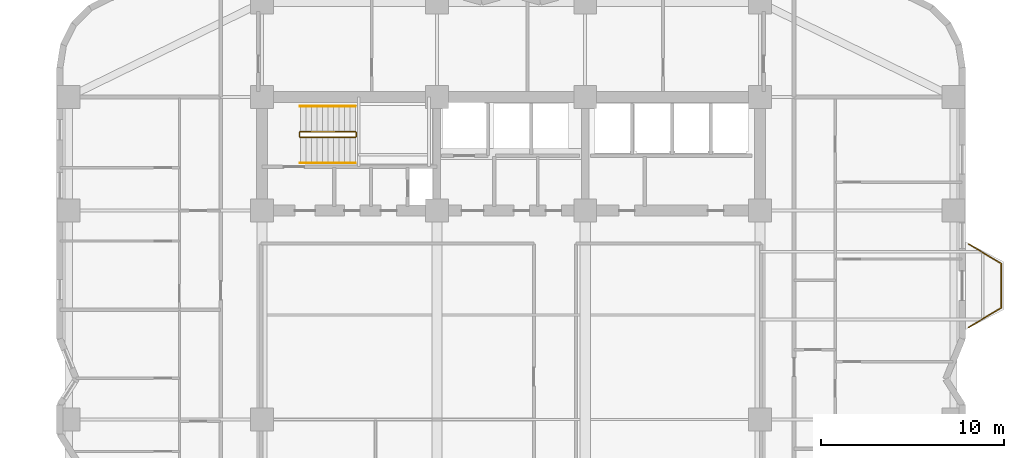
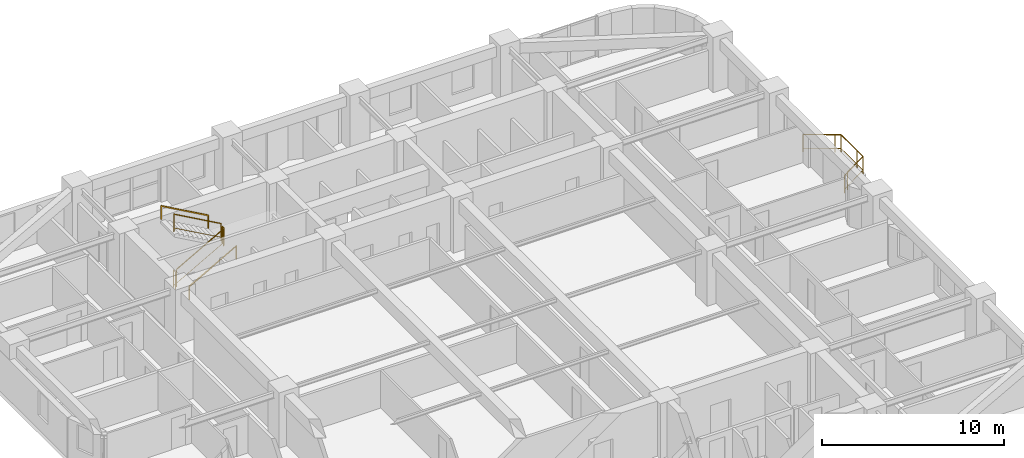
# One storey, part 13 of 13: 7 railings.
"""IFC4 building model written with IfcOpenShell, lengths in metres."""

from ifc_helpers import new_model, si_unit, direction, frame, origin, origin_2d, place, context, subcontext, project, spatial, rectangle, extrude, material, type_object, element, save


model = new_model("IFC4")

# Units and contexts
model_context = context("Model", 3, precision=1e-05, world=origin(), true_north=direction((0.0, 1.0)))
body_context = subcontext(model_context, "Body", "Model", "MODEL_VIEW")
ifc_project = project(units=[si_unit("LENGTHUNIT", "METRE"), si_unit("AREAUNIT", "SQUARE_METRE"), si_unit("VOLUMEUNIT", "CUBIC_METRE"), si_unit("PLANEANGLEUNIT", "RADIAN"), si_unit("MASSUNIT", "GRAM", prefix="KILO")], contexts=[model_context])

# Site, building, storey
site_placement = place(None, origin())
site = spatial("IfcSite", under=ifc_project, at=site_placement, CompositionType="ELEMENT")
building_placement = place(site_placement, origin())
building = spatial("IfcBuilding", under=site, at=building_placement, Name="Svetorya Sky Lyceum", CompositionType="ELEMENT")
storey_placement = place(building_placement, frame((0.0, 0.0, 39.89990234375)))
storey = spatial("IfcBuildingStorey", under=building, at=storey_placement, Name="L09", CompositionType="ELEMENT", Elevation=39.89990234375)

# Railings
ifc_material_1 = material(Name="Laminated safety glass and stainless AISI 316", Category="glass")
railing_type_1 = type_object("IfcRailingType", Name="RL-BAL-1200", PredefinedType="BALUSTRADE", material=ifc_material_1)
railing_1_placement = place(storey_placement, frame((64.169921875, 37.780029296875, 0.0)))
element("IfcRailing", 1, at=railing_1_placement, inside=storey, type_object=railing_type_1, Name="L09 Balcony Balustrade BAL-E1", PredefinedType="BALUSTRADE", context=body_context, shape_type="SweptSolid", body=[
    extrude(rectangle(XDim=0.048095703125, YDim=0.048095703125, at=origin_2d()), frame((0.0, 0.0, 1.17578125), z_axis=(0.857482663744, -0.514512858321, 0.0), x_axis=(0.514512858321, 0.857482663744, 0.0)), (0.0, 0.0, 1.0), 2.09912109375),
    extrude(rectangle(XDim=0.02392578125, YDim=0.02392578125, at=origin_2d()), frame((0.0, 0.0, 0.25), z_axis=(0.857482663744, -0.514512858321, 0.0), x_axis=(0.514512858321, 0.857482663744, 0.0)), (0.0, 0.0, 1.0), 2.09912109375),
    extrude(rectangle(XDim=0.048095703125, YDim=0.048095703125, at=origin_2d()), frame((1.800048828125, -1.080078125, 1.17578125), z_axis=(0.0, -1.0, 0.0), x_axis=(1.0, 0.0, 0.0)), (0.0, 0.0, 1.0), 2.39990234375),
    extrude(rectangle(XDim=0.02392578125, YDim=0.02392578125, at=origin_2d()), frame((1.800048828125, -1.080078125, 0.25), z_axis=(0.0, -1.0, 0.0), x_axis=(1.0, 0.0, 0.0)), (0.0, 0.0, 1.0), 2.39990234375),
    extrude(rectangle(XDim=0.048095703125, YDim=0.048095703125, at=origin_2d()), frame((1.800048828125, -3.47998046875, 1.17578125), z_axis=(-0.857482663744, -0.514512858321, 0.0), x_axis=(0.514512858321, -0.857482663744, 0.0)), (0.0, 0.0, 1.0), 2.09912109375),
    extrude(rectangle(XDim=0.02392578125, YDim=0.02392578125, at=origin_2d()), frame((1.800048828125, -3.47998046875, 0.25), z_axis=(-0.857482663744, -0.514512858321, 0.0), x_axis=(0.514512858321, -0.857482663744, 0.0)), (0.0, 0.0, 1.0), 2.09912109375),
    extrude(rectangle(XDim=0.0419921875, YDim=0.0419921875, at=origin_2d()), origin(), (0.0, 0.0, 1.0), 1.15185546875),
    extrude(rectangle(XDim=0.0419921875, YDim=0.0419921875, at=origin_2d()), frame((1.50048828125, -0.900390625, 0.0)), (0.0, 0.0, 1.0), 1.15185546875),
    extrude(rectangle(XDim=0.0419921875, YDim=0.0419921875, at=origin_2d()), frame((1.800048828125, -1.080078125, 0.0)), (0.0, 0.0, 1.0), 1.15185546875),
    extrude(rectangle(XDim=0.0419921875, YDim=0.0419921875, at=origin_2d()), frame((1.800048828125, -2.830078125, 0.0)), (0.0, 0.0, 1.0), 1.15185546875),
    extrude(rectangle(XDim=0.0419921875, YDim=0.0419921875, at=origin_2d()), frame((1.800048828125, -3.47998046875, 0.0)), (0.0, 0.0, 1.0), 1.15185546875),
    extrude(rectangle(XDim=0.0419921875, YDim=0.0419921875, at=origin_2d()), frame((0.299560546875, -4.38037109375, 0.0)), (0.0, 0.0, 1.0), 1.15185546875),
    extrude(rectangle(XDim=0.0419921875, YDim=0.0419921875, at=origin_2d()), frame((0.0, -4.56005859375, 0.0)), (0.0, 0.0, 1.0), 1.15185546875),
])
ifc_material_2 = material(Name="Painted galvanized stair well guard")
railing_type_2 = type_object("IfcRailingType", Name="RL-STR-GUARD-1200", PredefinedType="GUARDRAIL", material=ifc_material_2)
railing_2_placement = place(storey_placement, frame((27.699951171875, 43.60009765625, 0.168212890625)))
element("IfcRailing", 2, at=railing_2_placement, inside=storey, type_object=railing_type_2, Name="L09 ST-N stair guard 1", PredefinedType="GUARDRAIL", context=body_context, shape_type="SweptSolid", body=[
    extrude(rectangle(XDim=0.048095703125, YDim=0.048095703125, at=origin_2d()), frame((0.0, 0.0, 1.17578125), z_axis=(0.872272294576, 0.0, 0.489020494575), x_axis=(0.0, 1.0, 0.0)), (0.0, 0.0, 1.0), 3.439208984375),
    extrude(rectangle(XDim=0.02392578125, YDim=0.02392578125, at=origin_2d()), frame((0.0, 0.0, 0.25), z_axis=(0.872272294576, 0.0, 0.489020494575), x_axis=(0.0, 1.0, 0.0)), (0.0, 0.0, 1.0), 3.439208984375),
    extrude(rectangle(XDim=0.0419921875, YDim=0.0419921875, at=origin_2d()), origin(), (0.0, 0.0, 1.0), 1.15185546875),
    extrude(rectangle(XDim=0.0419921875, YDim=0.0419921875, at=origin_2d()), frame((3.0, 0.0, 1.681884765625)), (0.0, 0.0, 1.0), 1.15185546875),
])
railing_3_placement = place(storey_placement, frame((30.75, 43.64990234375, 1.85009765625)))
element("IfcRailing", 3, at=railing_3_placement, inside=storey, type_object=railing_type_2, Name="L09 ST-N stair guard 2", PredefinedType="GUARDRAIL", context=body_context, shape_type="SweptSolid", body=[
    extrude(rectangle(XDim=0.048095703125, YDim=0.048095703125, at=origin_2d()), frame((0.0, 0.0, 1.17578125), z_axis=(0.0, 1.0, 0.0), x_axis=(-1.0, 0.0, 0.0)), (0.0, 0.0, 1.0), 0.2001953125),
    extrude(rectangle(XDim=0.02392578125, YDim=0.02392578125, at=origin_2d()), frame((0.0, 0.0, 0.25), z_axis=(0.0, 1.0, 0.0), x_axis=(-1.0, 0.0, 0.0)), (0.0, 0.0, 1.0), 0.2001953125),
    extrude(rectangle(XDim=0.0419921875, YDim=0.0419921875, at=origin_2d()), origin(), (0.0, 0.0, 1.0), 1.15185546875),
    extrude(rectangle(XDim=0.0419921875, YDim=0.0419921875, at=origin_2d()), frame((0.0, 0.2001953125, 0.0)), (0.0, 0.0, 1.0), 1.15185546875),
])
railing_4_placement = place(storey_placement, frame((30.699951171875, 43.89990234375, 2.018310546875)))
element("IfcRailing", 4, at=railing_4_placement, inside=storey, type_object=railing_type_2, Name="L09 ST-N stair guard 3", PredefinedType="GUARDRAIL", context=body_context, shape_type="SweptSolid", body=[
    extrude(rectangle(XDim=0.048095703125, YDim=0.048095703125, at=origin_2d()), frame((0.0, 0.0, 1.17578125), z_axis=(-0.872272294576, 0.0, 0.489020494575), x_axis=(0.0, -1.0, 0.0)), (0.0, 0.0, 1.0), 3.439208984375),
    extrude(rectangle(XDim=0.02392578125, YDim=0.02392578125, at=origin_2d()), frame((0.0, 0.0, 0.25), z_axis=(-0.872272294576, 0.0, 0.489020494575), x_axis=(0.0, -1.0, 0.0)), (0.0, 0.0, 1.0), 3.439208984375),
    extrude(rectangle(XDim=0.0419921875, YDim=0.0419921875, at=origin_2d()), origin(), (0.0, 0.0, 1.0), 1.15185546875),
    extrude(rectangle(XDim=0.0419921875, YDim=0.0419921875, at=origin_2d()), frame((-3.0, 0.0, 1.681884765625)), (0.0, 0.0, 1.0), 1.15185546875),
])
railing_5_placement = place(storey_placement, frame((27.64990234375, 43.64990234375, 0.0)))
element("IfcRailing", 5, at=railing_5_placement, inside=storey, type_object=railing_type_2, Name="L09 ST-N stair guard 4", PredefinedType="GUARDRAIL", context=body_context, shape_type="SweptSolid", body=[
    extrude(rectangle(XDim=0.048095703125, YDim=0.048095703125, at=origin_2d()), frame((0.0, 0.0, 1.17578125), z_axis=(0.0, 1.0, 0.0), x_axis=(-1.0, 0.0, 0.0)), (0.0, 0.0, 1.0), 0.2001953125),
    extrude(rectangle(XDim=0.02392578125, YDim=0.02392578125, at=origin_2d()), frame((0.0, 0.0, 0.25), z_axis=(0.0, 1.0, 0.0), x_axis=(-1.0, 0.0, 0.0)), (0.0, 0.0, 1.0), 0.2001953125),
    extrude(rectangle(XDim=0.0419921875, YDim=0.0419921875, at=origin_2d()), origin(), (0.0, 0.0, 1.0), 1.15185546875),
    extrude(rectangle(XDim=0.0419921875, YDim=0.0419921875, at=origin_2d()), frame((0.0, 0.2001953125, 0.0)), (0.0, 0.0, 1.0), 1.15185546875),
])
ifc_material_3 = material(Name="Brushed stainless AISI 304 stair handrail")
railing_type_3 = type_object("IfcRailingType", Name="RL-STR-HAND-920", PredefinedType="HANDRAIL", material=ifc_material_3)
railing_6_placement = place(storey_placement, frame((27.699951171875, 42.199951171875, 0.168212890625)))
element("IfcRailing", 6, at=railing_6_placement, inside=storey, type_object=railing_type_3, Name="L09 ST-N stair handrail 1", PredefinedType="HANDRAIL", context=body_context, shape_type="SweptSolid", body=[
    extrude(rectangle(XDim=0.048095703125, YDim=0.048095703125, at=origin_2d()), frame((0.0, 0.0, 0.8759765625), z_axis=(0.872272294576, 0.0, 0.489020494575), x_axis=(0.0, 1.0, 0.0)), (0.0, 0.0, 1.0), 3.439208984375),
    extrude(rectangle(XDim=0.0419921875, YDim=0.0419921875, at=origin_2d()), origin(), (0.0, 0.0, 1.0), 0.851806640625),
    extrude(rectangle(XDim=0.0419921875, YDim=0.0419921875, at=origin_2d()), frame((3.0, 0.0, 1.681884765625)), (0.0, 0.0, 1.0), 0.851806640625),
])
railing_7_placement = place(storey_placement, frame((30.699951171875, 45.300048828125, 2.018310546875)))
element("IfcRailing", 7, at=railing_7_placement, inside=storey, type_object=railing_type_3, Name="L09 ST-N stair handrail 2", PredefinedType="HANDRAIL", context=body_context, shape_type="SweptSolid", body=[
    extrude(rectangle(XDim=0.048095703125, YDim=0.048095703125, at=origin_2d()), frame((0.0, 0.0, 0.8759765625), z_axis=(-0.872272294576, 0.0, 0.489020494575), x_axis=(0.0, -1.0, 0.0)), (0.0, 0.0, 1.0), 3.439208984375),
    extrude(rectangle(XDim=0.0419921875, YDim=0.0419921875, at=origin_2d()), origin(), (0.0, 0.0, 1.0), 0.851806640625),
    extrude(rectangle(XDim=0.0419921875, YDim=0.0419921875, at=origin_2d()), frame((-3.0, 0.0, 1.681884765625)), (0.0, 0.0, 1.0), 0.851806640625),
])

save(model, "model.ifc")
